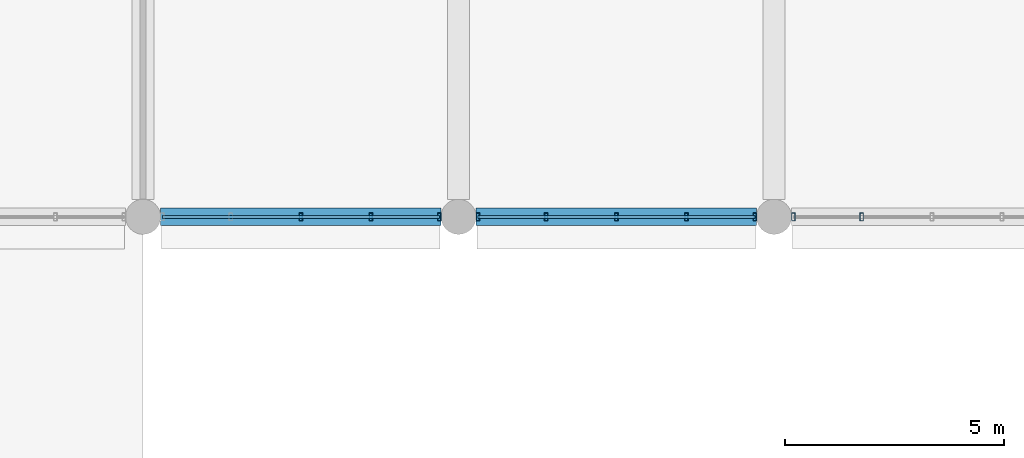
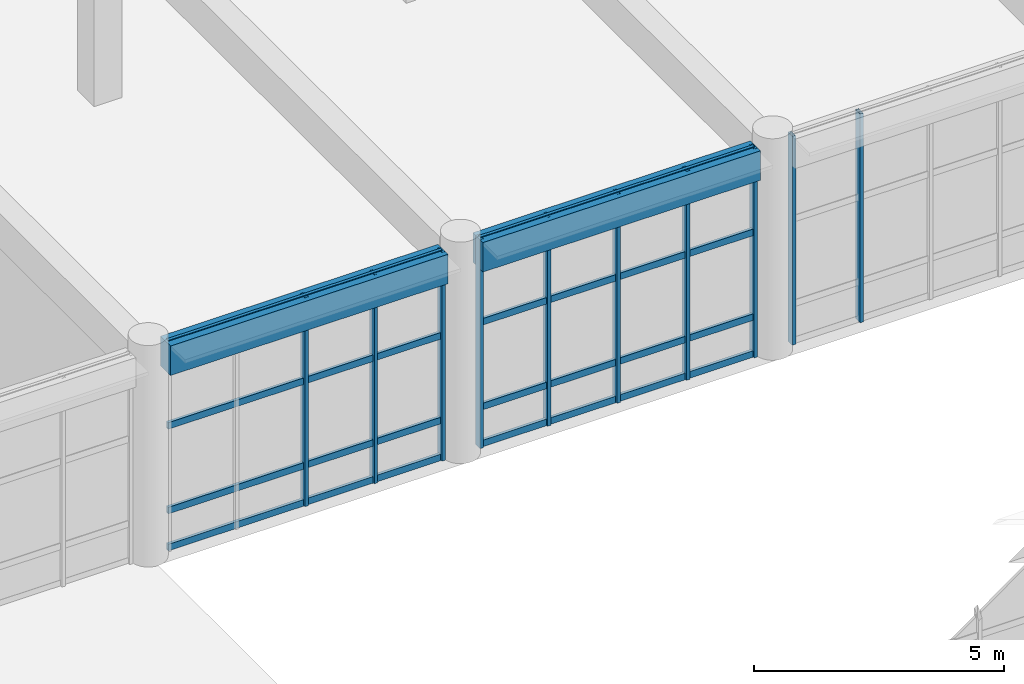
# One storey, part 33 of 160: 18 members, 2 beams, 3 elements without a shape of their own.
"""IFC4 building model written with IfcOpenShell, lengths in metres."""

from ifc_helpers import new_model, si_unit, direction, frame, origin, origin_2d, place, context, subcontext, project, spatial, rectangle, hollow_rectangle, extrude, material, material_profile, profile_set, type_object, element, aggregate, save


model = new_model("IFC4")

# Units and contexts
model_context = context("Model", 3, precision=1e-05, world=origin(), true_north=direction((0.0, 1.0)))
body_context = subcontext(model_context, "Body", "Model", "MODEL_VIEW")
ifc_project = project(units=[si_unit("LENGTHUNIT", "METRE"), si_unit("AREAUNIT", "SQUARE_METRE"), si_unit("VOLUMEUNIT", "CUBIC_METRE"), si_unit("PLANEANGLEUNIT", "RADIAN"), si_unit("MASSUNIT", "GRAM", prefix="KILO")], contexts=[model_context])

# Site, building, storey
site_placement = place(None, origin())
site = spatial("IfcSite", under=ifc_project, at=site_placement, CompositionType="ELEMENT")
building_placement = place(site_placement, origin())
building = spatial("IfcBuilding", under=site, at=building_placement, Name="Thalmaran Polytechnic", CompositionType="ELEMENT")
storey_placement = place(building_placement, origin())
storey = spatial("IfcBuildingStorey", under=building, at=storey_placement, Name="L00", CompositionType="ELEMENT", Elevation=0.0)

# Beams
ifc_material_1 = material(Name="Concrete C40/50", Category="concrete")
ifc_material_profile_1 = material_profile(ifc_material_1, rectangle(XDim=0.39990234375, YDim=0.719970703125, at=origin_2d()), Name="RC 400x720")
ifc_profile_set_1 = profile_set([ifc_material_profile_1], Name="Concrete C40/50")
beam_type = type_object("IfcBeamType", Name="BM-SP01", PredefinedType="SPANDREL", material=ifc_profile_set_1)
beam_1_placement = place(storey_placement, frame((58.0, 50.39990234375, 4.72998046875), z_axis=(1.0, 0.0, 0.0), x_axis=(0.0, 1.0, 0.0)))
element("IfcBeam", 1, at=beam_1_placement, inside=storey, type_object=beam_type, Name="Grid Beam SP01 L00 X(8,7)", PredefinedType="SPANDREL", context=body_context, shape_type="SweptSolid", body=[
    extrude(rectangle(XDim=0.39990234375, YDim=0.719970703125, at=origin_2d()), origin(), (0.0, 0.0, 1.0), 6.39990234375),
])
beam_2_placement = place(storey_placement, frame((65.199951171875, 50.39990234375, 4.72998046875), z_axis=(1.0, 0.0, 0.0), x_axis=(0.0, 1.0, 0.0)))
element("IfcBeam", 2, at=beam_2_placement, inside=storey, type_object=beam_type, Name="Grid Beam SP01 L00 X(9,7)", PredefinedType="SPANDREL", context=body_context, shape_type="SweptSolid", body=[
    extrude(rectangle(XDim=0.39990234375, YDim=0.719970703125, at=origin_2d()), origin(), (0.0, 0.0, 1.0), 6.400146484375),
])

# Curtain wall, members
ifc_material_2 = material(Name="Aluminium 6063-T6", Category="aluminium")
curtain_wall_type = type_object("IfcCurtainWallType", Name="CW-SC01", PredefinedType="USERDEFINED", material=ifc_material_2)
curtain_wall_1_placement = place(storey_placement, origin())
curtain_wall_1 = element("IfcCurtainWall", 3, at=curtain_wall_1_placement, inside=storey, type_object=curtain_wall_type, Name="Curtain Wall CW-L00-037", ObjectType="STICK CURTAIN WALL", PredefinedType="USERDEFINED")
ifc_material_profile_2 = material_profile(ifc_material_2, hollow_rectangle(XDim=0.080078125, YDim=0.179931640625, WallThickness=0.0048828125, at=origin_2d()), Name="RHS 180x80x5.0")
ifc_profile_set_2 = profile_set([ifc_material_profile_2], Name="Aluminium 6063-T6")
member_type_1 = type_object("IfcMemberType", Name="CW-MUL1", PredefinedType="MULLION", material=ifc_profile_set_2)
member_1_placement = place(storey_placement, frame((74.0, 50.39990234375, 0.0), z_axis=(0.0, 0.0, 1.0), x_axis=(1.0, 0.0, 0.0)))
member_1 = element("IfcMember", 4, at=member_1_placement, type_object=member_type_1, Name="CW-L00-037 Mullion 4", PredefinedType="MULLION", context=body_context, shape_type="SweptSolid", body=[
    extrude(hollow_rectangle(XDim=0.080078125, YDim=0.179931640625, WallThickness=0.0048828125, at=origin_2d()), origin(), (0.0, 0.0, 1.0), 5.090087890625),
])
member_2_placement = place(storey_placement, frame((72.43994140625, 50.39990234375, 0.0), z_axis=(0.0, 0.0, 1.0), x_axis=(1.0, 0.0, 0.0)))
member_2 = element("IfcMember", 5, at=member_2_placement, type_object=member_type_1, Name="CW-L00-037 Mullion 5", PredefinedType="MULLION", context=body_context, shape_type="SweptSolid", body=[
    extrude(hollow_rectangle(XDim=0.080078125, YDim=0.179931640625, WallThickness=0.0048828125, at=origin_2d()), origin(), (0.0, 0.0, 1.0), 5.090087890625),
])
aggregate(curtain_wall_1, [member_1, member_2])

curtain_wall_2_placement = place(storey_placement, origin())
curtain_wall_2 = element("IfcCurtainWall", 6, at=curtain_wall_2_placement, inside=storey, type_object=curtain_wall_type, Name="Curtain Wall CW-L00-038", ObjectType="STICK CURTAIN WALL", PredefinedType="USERDEFINED")
member_3_placement = place(storey_placement, frame((71.56005859375, 50.39990234375, 0.0), z_axis=(0.0, 0.0, 1.0), x_axis=(1.0, 0.0, 0.0)))
member_3 = element("IfcMember", 7, at=member_3_placement, type_object=member_type_1, Name="CW-L00-038 Mullion 1", PredefinedType="MULLION", context=body_context, shape_type="SweptSolid", body=[
    extrude(hollow_rectangle(XDim=0.080078125, YDim=0.179931640625, WallThickness=0.0048828125, at=origin_2d()), origin(), (0.0, 0.0, 1.0), 5.090087890625),
])
member_4_placement = place(storey_placement, frame((70.0, 50.39990234375, 0.0), z_axis=(0.0, 0.0, 1.0), x_axis=(1.0, 0.0, 0.0)))
member_4 = element("IfcMember", 8, at=member_4_placement, type_object=member_type_1, Name="CW-L00-038 Mullion 2", PredefinedType="MULLION", context=body_context, shape_type="SweptSolid", body=[
    extrude(hollow_rectangle(XDim=0.080078125, YDim=0.179931640625, WallThickness=0.0048828125, at=origin_2d()), origin(), (0.0, 0.0, 1.0), 5.090087890625),
])
member_5_placement = place(storey_placement, frame((68.39990234375, 50.39990234375, 0.0), z_axis=(0.0, 0.0, 1.0), x_axis=(1.0, 0.0, 0.0)))
member_5 = element("IfcMember", 9, at=member_5_placement, type_object=member_type_1, Name="CW-L00-038 Mullion 3", PredefinedType="MULLION", context=body_context, shape_type="SweptSolid", body=[
    extrude(hollow_rectangle(XDim=0.080078125, YDim=0.179931640625, WallThickness=0.0048828125, at=origin_2d()), origin(), (0.0, 0.0, 1.0), 5.090087890625),
])
member_6_placement = place(storey_placement, frame((66.800048828125, 50.39990234375, 0.0), z_axis=(0.0, 0.0, 1.0), x_axis=(1.0, 0.0, 0.0)))
member_6 = element("IfcMember", 10, at=member_6_placement, type_object=member_type_1, Name="CW-L00-038 Mullion 4", PredefinedType="MULLION", context=body_context, shape_type="SweptSolid", body=[
    extrude(hollow_rectangle(XDim=0.080078125, YDim=0.179931640625, WallThickness=0.0048828125, at=origin_2d()), origin(), (0.0, 0.0, 1.0), 5.090087890625),
])
member_7_placement = place(storey_placement, frame((65.239990234375, 50.39990234375, 0.0), z_axis=(0.0, 0.0, 1.0), x_axis=(1.0, 0.0, 0.0)))
member_7 = element("IfcMember", 11, at=member_7_placement, type_object=member_type_1, Name="CW-L00-038 Mullion 5", PredefinedType="MULLION", context=body_context, shape_type="SweptSolid", body=[
    extrude(hollow_rectangle(XDim=0.080078125, YDim=0.179931640625, WallThickness=0.0048828125, at=origin_2d()), origin(), (0.0, 0.0, 1.0), 5.090087890625),
])

curtain_wall_3_placement = place(storey_placement, origin())
curtain_wall_3 = element("IfcCurtainWall", 12, at=curtain_wall_3_placement, inside=storey, type_object=curtain_wall_type, Name="Curtain Wall CW-L00-039", ObjectType="STICK CURTAIN WALL", PredefinedType="USERDEFINED")
member_8_placement = place(storey_placement, frame((64.360107421875, 50.39990234375, 0.0), z_axis=(0.0, 0.0, 1.0), x_axis=(1.0, 0.0, 0.0)))
member_8 = element("IfcMember", 13, at=member_8_placement, type_object=member_type_1, Name="CW-L00-039 Mullion 1", PredefinedType="MULLION", context=body_context, shape_type="SweptSolid", body=[
    extrude(hollow_rectangle(XDim=0.080078125, YDim=0.179931640625, WallThickness=0.0048828125, at=origin_2d()), origin(), (0.0, 0.0, 1.0), 5.090087890625),
])
member_9_placement = place(storey_placement, frame((62.800048828125, 50.39990234375, 0.0), z_axis=(0.0, 0.0, 1.0), x_axis=(1.0, 0.0, 0.0)))
member_9 = element("IfcMember", 14, at=member_9_placement, type_object=member_type_1, Name="CW-L00-039 Mullion 2", PredefinedType="MULLION", context=body_context, shape_type="SweptSolid", body=[
    extrude(hollow_rectangle(XDim=0.080078125, YDim=0.179931640625, WallThickness=0.0048828125, at=origin_2d()), origin(), (0.0, 0.0, 1.0), 5.090087890625),
])
member_10_placement = place(storey_placement, frame((61.199951171875, 50.39990234375, 0.0), z_axis=(0.0, 0.0, 1.0), x_axis=(1.0, 0.0, 0.0)))
member_10 = element("IfcMember", 15, at=member_10_placement, type_object=member_type_1, Name="CW-L00-039 Mullion 3", PredefinedType="MULLION", context=body_context, shape_type="SweptSolid", body=[
    extrude(hollow_rectangle(XDim=0.080078125, YDim=0.179931640625, WallThickness=0.0048828125, at=origin_2d()), origin(), (0.0, 0.0, 1.0), 5.090087890625),
])

# Member
ifc_material_profile_3 = material_profile(ifc_material_2, hollow_rectangle(XDim=0.070068359375, YDim=0.159912109375, WallThickness=0.00390625, at=origin_2d()), Name="AL 160x70x4.0")
ifc_profile_set_3 = profile_set([ifc_material_profile_3], Name="Aluminium 6063-T6")
member_type_2 = type_object("IfcMemberType", Name="CW-TRN1", PredefinedType="USERDEFINED", material=ifc_profile_set_3)
member_11_placement = place(storey_placement, frame((71.56005859375, 50.39990234375, 0.06005859375), z_axis=(-1.0, 0.0, 0.0), x_axis=(0.0, -1.0, 0.0)))
member_11 = element("IfcMember", 16, at=member_11_placement, type_object=member_type_2, Name="CW-L00-038 Transom 1", ObjectType="TRANSOM", PredefinedType="USERDEFINED", context=body_context, shape_type="SweptSolid", body=[
    extrude(hollow_rectangle(XDim=0.070068359375, YDim=0.159912109375, WallThickness=0.00390625, at=origin_2d()), origin(), (0.0, 0.0, 1.0), 6.320068359375),
])

member_12_placement = place(storey_placement, frame((71.56005859375, 50.39990234375, 0.9599609375), z_axis=(-1.0, 0.0, 0.0), x_axis=(0.0, -1.0, 0.0)))
member_12 = element("IfcMember", 17, at=member_12_placement, type_object=member_type_2, Name="CW-L00-038 Transom 2", ObjectType="TRANSOM", PredefinedType="USERDEFINED", context=body_context, shape_type="SweptSolid", body=[
    extrude(hollow_rectangle(XDim=0.070068359375, YDim=0.159912109375, WallThickness=0.00390625, at=origin_2d()), origin(), (0.0, 0.0, 1.0), 6.320068359375),
])

member_13_placement = place(storey_placement, frame((71.56005859375, 50.39990234375, 3.02490234375), z_axis=(-1.0, 0.0, 0.0), x_axis=(0.0, -1.0, 0.0)))
member_13 = element("IfcMember", 18, at=member_13_placement, type_object=member_type_2, Name="CW-L00-038 Transom 3", ObjectType="TRANSOM", PredefinedType="USERDEFINED", context=body_context, shape_type="SweptSolid", body=[
    extrude(hollow_rectangle(XDim=0.070068359375, YDim=0.159912109375, WallThickness=0.00390625, at=origin_2d()), origin(), (0.0, 0.0, 1.0), 6.320068359375),
])

member_14_placement = place(storey_placement, frame((71.56005859375, 50.39990234375, 5.030029296875), z_axis=(-1.0, 0.0, 0.0), x_axis=(0.0, -1.0, 0.0)))
member_14 = element("IfcMember", 19, at=member_14_placement, type_object=member_type_2, Name="CW-L00-038 Transom 4", ObjectType="TRANSOM", PredefinedType="USERDEFINED", context=body_context, shape_type="SweptSolid", body=[
    extrude(hollow_rectangle(XDim=0.070068359375, YDim=0.159912109375, WallThickness=0.00390625, at=origin_2d()), origin(), (0.0, 0.0, 1.0), 6.320068359375),
])

aggregate(curtain_wall_2, [member_3, member_4, member_5, member_6, member_7, member_11, member_12, member_13, member_14])

member_15_placement = place(storey_placement, frame((64.360107421875, 50.39990234375, 0.06005859375), z_axis=(-1.0, 0.0, 0.0), x_axis=(0.0, -1.0, 0.0)))
member_15 = element("IfcMember", 20, at=member_15_placement, type_object=member_type_2, Name="CW-L00-039 Transom 1", ObjectType="TRANSOM", PredefinedType="USERDEFINED", context=body_context, shape_type="SweptSolid", body=[
    extrude(hollow_rectangle(XDim=0.070068359375, YDim=0.159912109375, WallThickness=0.00390625, at=origin_2d()), origin(), (0.0, 0.0, 1.0), 6.320068359375),
])

member_16_placement = place(storey_placement, frame((64.360107421875, 50.39990234375, 0.9599609375), z_axis=(-1.0, 0.0, 0.0), x_axis=(0.0, -1.0, 0.0)))
member_16 = element("IfcMember", 21, at=member_16_placement, type_object=member_type_2, Name="CW-L00-039 Transom 2", ObjectType="TRANSOM", PredefinedType="USERDEFINED", context=body_context, shape_type="SweptSolid", body=[
    extrude(hollow_rectangle(XDim=0.070068359375, YDim=0.159912109375, WallThickness=0.00390625, at=origin_2d()), origin(), (0.0, 0.0, 1.0), 6.320068359375),
])

member_17_placement = place(storey_placement, frame((64.360107421875, 50.39990234375, 3.02490234375), z_axis=(-1.0, 0.0, 0.0), x_axis=(0.0, -1.0, 0.0)))
member_17 = element("IfcMember", 22, at=member_17_placement, type_object=member_type_2, Name="CW-L00-039 Transom 3", ObjectType="TRANSOM", PredefinedType="USERDEFINED", context=body_context, shape_type="SweptSolid", body=[
    extrude(hollow_rectangle(XDim=0.070068359375, YDim=0.159912109375, WallThickness=0.00390625, at=origin_2d()), origin(), (0.0, 0.0, 1.0), 6.320068359375),
])

member_18_placement = place(storey_placement, frame((64.360107421875, 50.39990234375, 5.030029296875), z_axis=(-1.0, 0.0, 0.0), x_axis=(0.0, -1.0, 0.0)))
member_18 = element("IfcMember", 23, at=member_18_placement, type_object=member_type_2, Name="CW-L00-039 Transom 4", ObjectType="TRANSOM", PredefinedType="USERDEFINED", context=body_context, shape_type="SweptSolid", body=[
    extrude(hollow_rectangle(XDim=0.070068359375, YDim=0.159912109375, WallThickness=0.00390625, at=origin_2d()), origin(), (0.0, 0.0, 1.0), 6.320068359375),
])

aggregate(curtain_wall_3, [member_8, member_9, member_10, member_15, member_16, member_17, member_18])

save(model, "model.ifc")
